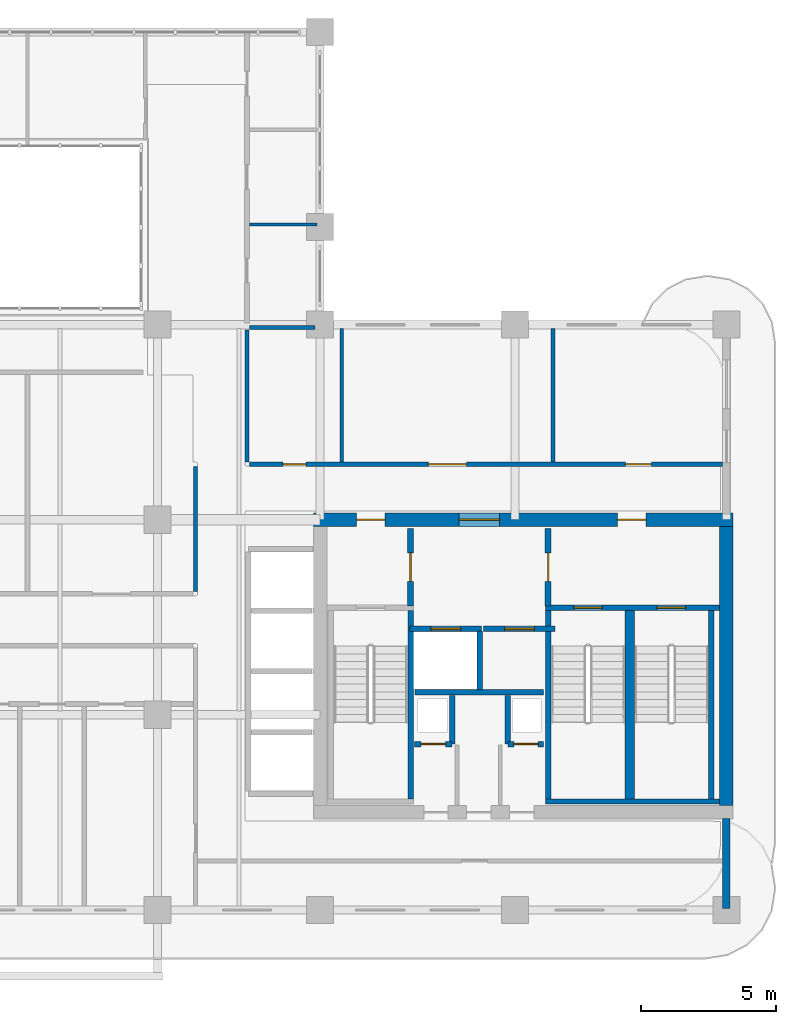
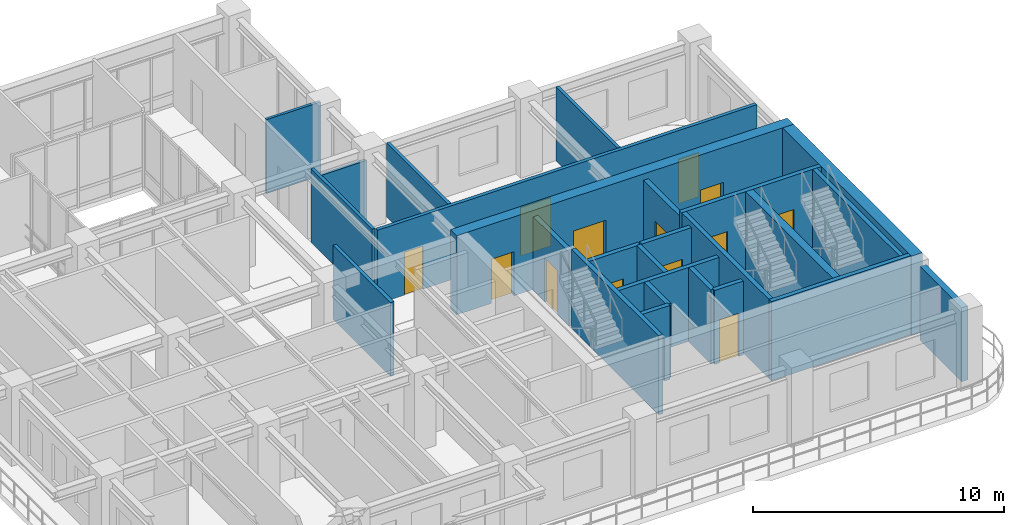
# One storey, part 13 of 20: 26 walls, 14 doors, 14 openings.
"""IFC4 building model written with IfcOpenShell, lengths in metres."""

from ifc_helpers import new_model, si_unit, derived_unit, direction, frame, frame_2d, origin, place, context, subcontext, project, spatial, rectangle, extrude, source, transform, mapped, material, layer, layer_set, type_object, type_shapes, element, fill, save


model = new_model("IFC4")

# Units and contexts
model_context = context("Model", 3, precision=1e-05, world=origin(), true_north=direction((0.0, 1.0)))
body_context = subcontext(model_context, "Body", "Model", "MODEL_VIEW")
ifc_project = project(units=[si_unit("LENGTHUNIT", "METRE"), si_unit("AREAUNIT", "SQUARE_METRE"), si_unit("VOLUMEUNIT", "CUBIC_METRE"), si_unit("PLANEANGLEUNIT", "RADIAN"), si_unit("MASSUNIT", "GRAM", prefix="KILO"), si_unit("THERMODYNAMICTEMPERATUREUNIT", "KELVIN"), si_unit("POWERUNIT", "WATT"), derived_unit("THERMALTRANSMITTANCEUNIT", [(si_unit("POWERUNIT", "WATT"), 1), (si_unit("AREAUNIT", "SQUARE_METRE"), -1), (si_unit("THERMODYNAMICTEMPERATUREUNIT", "KELVIN"), -1)])], contexts=[model_context])

# Site, building, storey
site_placement = place(None, origin())
site = spatial("IfcSite", under=ifc_project, at=site_placement, CompositionType="ELEMENT")
building_placement = place(site_placement, origin())
building = spatial("IfcBuilding", under=site, at=building_placement, Name="Zahravan Archway Hotel and Residences", CompositionType="ELEMENT")
storey_placement = place(building_placement, frame((0.0, 0.0, 173.39990234375)))
storey = spatial("IfcBuildingStorey", under=building, at=storey_placement, Name="L43", CompositionType="ELEMENT", Elevation=173.39990234375)

# Wall, openings, doors
ifc_material_1 = material(Name="Concrete C60/75", Category="concrete")
ifc_layer_1 = layer(ifc_material_1, 0.5, Name="Concrete C60/75", Category="concrete")
ifc_layer_set_1 = layer_set([ifc_layer_1], Name="Concrete C60/75")
wall_type_1 = type_object("IfcWallType", Name="CW-CORE-500", PredefinedType="SHEAR", material=ifc_layer_set_1)
wall_1_placement = place(storey_placement, frame((34.550048828125, 14.39990234375, 0.0), z_axis=(0.0, 0.0, 1.0), x_axis=(1.0, 0.0, 0.0)))
wall_1 = element("IfcWall", 1, at=wall_1_placement, inside=storey, type_object=wall_type_1, Name="L43 Core A Shear N Wall 500 mm", PredefinedType="SHEAR", context=body_context, shape_type="SweptSolid", body=[
    extrude(rectangle(XDim=15.5, YDim=0.5, at=frame_2d((7.75, 0.0))), origin(), (0.0, 0.0, 1.0), 3.85009765625),
])
opening_1_placement = place(wall_1_placement, frame((5.3798828125, 0.0, 0.0)))
opening_1 = element("IfcOpeningElement", 2, at=opening_1_placement, cuts=wall_1, Name="Opening FD-L1", PredefinedType="OPENING", context=body_context, shape_type="SweptSolid", body=[
    extrude(rectangle(XDim=1.5, YDim=2.199951171875, at=frame_2d((0.75, 1.10009765625))), frame((0.0, 0.260009765625, 0.0), z_axis=(0.0, -1.0, 0.0), x_axis=(1.0, 0.0, 0.0)), (0.0, 0.0, 1.0), 0.52001953125),
])
opening_2_placement = place(wall_1_placement, frame((1.594970703125, 0.0, 0.0)))
opening_2 = element("IfcOpeningElement", 3, at=opening_2_placement, cuts=wall_1, Name="Opening FD-L2", PredefinedType="OPENING", context=body_context, shape_type="SweptSolid", body=[
    extrude(rectangle(XDim=1.050048828125, YDim=2.14990234375, at=frame_2d((0.52490234375, 1.074951171875))), frame((0.0, 0.260009765625, 0.0), z_axis=(0.0, -1.0, 0.0), x_axis=(1.0, 0.0, 0.0)), (0.0, 0.0, 1.0), 0.52001953125),
])
opening_3_placement = place(wall_1_placement, frame((11.22509765625, 0.0, 0.0)))
opening_3 = element("IfcOpeningElement", 4, at=opening_3_placement, cuts=wall_1, Name="Opening FD-L2", PredefinedType="OPENING", context=body_context, shape_type="SweptSolid", body=[
    extrude(rectangle(XDim=1.050048828125, YDim=2.14990234375, at=frame_2d((0.52490234375, 1.074951171875))), frame((0.0, 0.260009765625, 0.0), z_axis=(0.0, -1.0, 0.0), x_axis=(1.0, 0.0, 0.0)), (0.0, 0.0, 1.0), 0.52001953125),
])
ifc_material_2 = material(Name="Fire-Rated Painted Steel", Category="steel")
door_type_1 = type_object("IfcDoorType", Name="FD-LOBBY-1100", OperationType="NOTDEFINED", PredefinedType="DOOR", material=ifc_material_2)
shared_shape_1 = source(origin(), body_context, "Body", "SweptSolid", [
    extrude(rectangle(XDim=1.050048828125, YDim=2.14990234375, at=frame_2d((0.52490234375, 1.074951171875))), frame((0.0, 0.02490234375, 0.0), z_axis=(0.0, -1.0, 0.0), x_axis=(1.0, 0.0, 0.0)), (0.0, 0.0, 1.0), 0.050048828125),
])
type_shapes(door_type_1, [shared_shape_1])
door_1_placement = place(opening_2_placement, origin())
door_1 = element("IfcDoor", 5, at=door_1_placement, inside=storey, type_object=door_type_1, Name="L43 Core A West Stair Lobby Door", OperationType="SINGLE_SWING_LEFT", OverallHeight=2.14990234375, OverallWidth=1.050048828125, PredefinedType="DOOR", context=body_context, shape_type="MappedRepresentation", body=[
    mapped(shared_shape_1, transform((0.0, 0.0, 0.0), scale=1.0)),
])
fill(opening_2, door_1)
door_2_placement = place(opening_3_placement, origin())
door_2 = element("IfcDoor", 6, at=door_2_placement, inside=storey, type_object=door_type_1, Name="L43 Core A East Stair Lobby Door", OperationType="SINGLE_SWING_RIGHT", OverallHeight=2.14990234375, OverallWidth=1.050048828125, PredefinedType="DOOR", context=body_context, shape_type="MappedRepresentation", body=[
    mapped(shared_shape_1, transform((0.0, 0.0, 0.0), scale=1.0)),
])
fill(opening_3, door_2)
door_type_2 = type_object("IfcDoorType", Name="FD-LOBBY-1500", OperationType="DOUBLE_DOOR_SINGLE_SWING", PredefinedType="DOOR", material=ifc_material_2)
shared_shape_2 = source(origin(), body_context, "Body", "SweptSolid", [
    extrude(rectangle(XDim=1.5, YDim=2.199951171875, at=frame_2d((0.75, 1.10009765625))), frame((0.0, 0.02490234375, 0.0), z_axis=(0.0, -1.0, 0.0), x_axis=(1.0, 0.0, 0.0)), (0.0, 0.0, 1.0), 0.050048828125),
])
type_shapes(door_type_2, [shared_shape_2])
door_3_placement = place(opening_1_placement, origin())
door_3 = element("IfcDoor", 7, at=door_3_placement, inside=storey, type_object=door_type_2, Name="L43 Core A FSAE Lobby Main Door", OperationType="DOUBLE_DOOR_SINGLE_SWING", OverallHeight=2.199951171875, OverallWidth=1.5, PredefinedType="DOOR", context=body_context, shape_type="MappedRepresentation", body=[
    mapped(shared_shape_2, transform((0.0, 0.0, 0.0), scale=1.0)),
])
fill(opening_1, door_3)

# Walls
wall_2_placement = place(storey_placement, frame((49.800048828125, 3.85009765625, 0.0), z_axis=(0.0, 0.0, 1.0), x_axis=(0.0, 1.0, 0.0)))
element("IfcWall", 8, at=wall_2_placement, inside=storey, type_object=wall_type_1, Name="L43 Core A Shear E Wall 500 mm", PredefinedType="SHEAR", context=body_context, shape_type="SweptSolid", body=[
    extrude(rectangle(XDim=10.2998046875, YDim=0.5, at=frame_2d((5.14990234375, 0.0))), origin(), (0.0, 0.0, 1.0), 3.85009765625),
])
ifc_material_3 = material(Name="Honed Red-Ochre Sandstone & Insulated Block", Category="masonry")
ifc_layer_2 = layer(ifc_material_3, 0.280029296875, Name="Honed Red-Ochre Sandstone & Insulated Block", Category="masonry")
ifc_layer_set_2 = layer_set([ifc_layer_2], Name="Honed Red-Ochre Sandstone & Insulated Block")
wall_type_2 = type_object("IfcWallType", Name="EW-LOG-280", PredefinedType="SOLIDWALL", material=ifc_layer_set_2)
wall_3_placement = place(storey_placement, frame((49.800048828125, 0.050048828125, 0.0), z_axis=(0.0, 0.0, 1.0), x_axis=(0.0, 1.0, 0.0)))
element("IfcWall", 9, at=wall_3_placement, inside=storey, type_object=wall_type_2, Name="L43 Exterior Sandstone Wall WA-ES", PredefinedType="SOLIDWALL", context=body_context, shape_type="SweptSolid", body=[
    extrude(rectangle(XDim=3.329833984375, YDim=0.280029296875, at=frame_2d((1.6650390625, 0.0))), origin(), (0.0, 0.0, 1.0), 3.60009765625),
])

# Wall, opening, door
ifc_material_4 = material(Name="Fire-Rated Gypsum & Concrete Block", Category="concrete")
ifc_layer_3 = layer(ifc_material_4, 0.219970703125, Name="Fire-Rated Gypsum & Concrete Block", Category="concrete")
ifc_layer_set_3 = layer_set([ifc_layer_3], Name="Fire-Rated Gypsum & Concrete Block")
wall_type_3 = type_object("IfcWallType", Name="PW-COMP-220", PredefinedType="PARTITIONING", material=ifc_layer_set_3)
wall_4_placement = place(storey_placement, frame((38.139892578125, 11.219970703125, 0.0), z_axis=(0.0, 0.0, 1.0), x_axis=(0.0, 1.0, 0.0)))
wall_4 = element("IfcWall", 10, at=wall_4_placement, inside=storey, type_object=wall_type_3, Name="L43 Partition CA-LOBW", PredefinedType="PARTITIONING", context=body_context, shape_type="SweptSolid", body=[
    extrude(rectangle(XDim=2.860107421875, YDim=0.219970703125, at=frame_2d((1.43017578125, 0.0))), origin(), (0.0, 0.0, 1.0), 3.60009765625),
])
opening_4_placement = place(wall_4_placement, frame((0.905029296875, 0.0, 0.0)))
opening_4 = element("IfcOpeningElement", 11, at=opening_4_placement, cuts=wall_4, Name="Opening FD-L2", PredefinedType="OPENING", context=body_context, shape_type="SweptSolid", body=[
    extrude(rectangle(XDim=1.050048828125, YDim=2.14990234375, at=frame_2d((0.52490234375, 1.074951171875))), frame((0.0, 0.1201171875, 0.0), z_axis=(0.0, -1.0, 0.0), x_axis=(1.0, 0.0, 0.0)), (0.0, 0.0, 1.0), 0.239990234375),
])
door_4_placement = place(opening_4_placement, origin())
door_4 = element("IfcDoor", 12, at=door_4_placement, inside=storey, type_object=door_type_1, Name="L43 Core A West Stair to FSAE Lobby Door", OperationType="SINGLE_SWING_LEFT", OverallHeight=2.14990234375, OverallWidth=1.050048828125, PredefinedType="DOOR", context=body_context, shape_type="MappedRepresentation", body=[
    mapped(shared_shape_1, transform((0.0, 0.0, 0.0), scale=1.0)),
])
fill(opening_4, door_4)

wall_5_placement = place(storey_placement, frame((43.219970703125, 11.219970703125, 0.0), z_axis=(0.0, 0.0, 1.0), x_axis=(0.0, 1.0, 0.0)))
wall_5 = element("IfcWall", 13, at=wall_5_placement, inside=storey, type_object=wall_type_3, Name="L43 Partition CA-LOBE", PredefinedType="PARTITIONING", context=body_context, shape_type="SweptSolid", body=[
    extrude(rectangle(XDim=2.860107421875, YDim=0.219970703125, at=frame_2d((1.43017578125, 0.0))), origin(), (0.0, 0.0, 1.0), 3.60009765625),
])
opening_5_placement = place(wall_5_placement, frame((0.905029296875, 0.0, 0.0)))
opening_5 = element("IfcOpeningElement", 14, at=opening_5_placement, cuts=wall_5, Name="Opening FD-L2", PredefinedType="OPENING", context=body_context, shape_type="SweptSolid", body=[
    extrude(rectangle(XDim=1.050048828125, YDim=2.14990234375, at=frame_2d((0.52490234375, 1.074951171875))), frame((0.0, 0.1201171875, 0.0), z_axis=(0.0, -1.0, 0.0), x_axis=(1.0, 0.0, 0.0)), (0.0, 0.0, 1.0), 0.239990234375),
])
door_5_placement = place(opening_5_placement, origin())
door_5 = element("IfcDoor", 15, at=door_5_placement, inside=storey, type_object=door_type_1, Name="L43 Core A East Stair to FSAE Lobby Door", OperationType="SINGLE_SWING_RIGHT", OverallHeight=2.14990234375, OverallWidth=1.050048828125, PredefinedType="DOOR", context=body_context, shape_type="MappedRepresentation", body=[
    mapped(shared_shape_1, transform((0.0, 0.0, 0.0), scale=1.0)),
])
fill(opening_5, door_5)

# Wall
ifc_layer_4 = layer(ifc_material_4, 0.159912109375, Name="Fire-Rated Gypsum & Concrete Block", Category="concrete")
ifc_layer_set_4 = layer_set([ifc_layer_4], Name="Fire-Rated Gypsum & Concrete Block")
wall_type_4 = type_object("IfcWallType", Name="PW-CORR-160", PredefinedType="PARTITIONING", material=ifc_layer_set_4)
wall_6_placement = place(storey_placement, frame((30.199951171875, 11.760009765625, 0.0), z_axis=(0.0, 0.0, 1.0), x_axis=(0.0, 1.0, 0.0)))
element("IfcWall", 16, at=wall_6_placement, inside=storey, type_object=wall_type_4, Name="L43 Partition WA-FW", PredefinedType="PARTITIONING", context=body_context, shape_type="SweptSolid", body=[
    extrude(rectangle(XDim=4.60009765625, YDim=0.159912109375, at=frame_2d((2.300048828125, 0.0))), origin(), (0.0, 0.0, 1.0), 3.60009765625),
])

# Wall, openings, doors
wall_7_placement = place(storey_placement, frame((32.18994140625, 16.449951171875, 0.0), z_axis=(0.0, 0.0, 1.0), x_axis=(1.0, 0.0, 0.0)))
wall_7 = element("IfcWall", 17, at=wall_7_placement, inside=storey, type_object=wall_type_4, Name="L43 Partition WA-FN", PredefinedType="PARTITIONING", context=body_context, shape_type="SweptSolid", body=[
    extrude(rectangle(XDim=17.469970703125, YDim=0.159912109375, at=frame_2d((8.73486328125, 0.0))), origin(), (0.0, 0.0, 1.0), 3.60009765625),
])
opening_6_placement = place(wall_7_placement, frame((1.235107421875, 0.0, 0.0)))
opening_6 = element("IfcOpeningElement", 18, at=opening_6_placement, cuts=wall_7, Name="Opening D-B1", PredefinedType="OPENING", context=body_context, shape_type="SweptSolid", body=[
    extrude(rectangle(XDim=0.85009765625, YDim=2.10009765625, at=frame_2d((0.425048828125, 1.050048828125))), frame((0.0, 0.08984375, 0.0), z_axis=(0.0, -1.0, 0.0), x_axis=(1.0, 0.0, 0.0)), (0.0, 0.0, 1.0), 0.179931640625),
])
opening_7_placement = place(wall_7_placement, frame((6.610107421875, 0.0, 0.0)))
opening_7 = element("IfcOpeningElement", 19, at=opening_7_placement, cuts=wall_7, Name="Opening D-P1", PredefinedType="OPENING", context=body_context, shape_type="SweptSolid", body=[
    extrude(rectangle(XDim=1.39990234375, YDim=2.35009765625, at=frame_2d((0.699951171875, 1.175048828125))), frame((0.0, 0.08984375, 0.0), z_axis=(0.0, -1.0, 0.0), x_axis=(1.0, 0.0, 0.0)), (0.0, 0.0, 1.0), 0.179931640625),
])
opening_8_placement = place(wall_7_placement, frame((13.885009765625, 0.0, 0.0)))
opening_8 = element("IfcOpeningElement", 20, at=opening_8_placement, cuts=wall_7, Name="Opening D-I1", PredefinedType="OPENING", context=body_context, shape_type="SweptSolid", body=[
    extrude(rectangle(XDim=0.949951171875, YDim=2.14990234375, at=frame_2d((0.47509765625, 1.074951171875))), frame((0.0, 0.08984375, 0.0), z_axis=(0.0, -1.0, 0.0), x_axis=(1.0, 0.0, 0.0)), (0.0, 0.0, 1.0), 0.179931640625),
])
ifc_material_5 = material(Name="Hardwood Veneer Timber", Category="wood")
door_type_3 = type_object("IfcDoorType", Name="ID-BATH-850", OperationType="NOTDEFINED", PredefinedType="DOOR", material=ifc_material_5)
shared_shape_3 = source(origin(), body_context, "Body", "SweptSolid", [
    extrude(rectangle(XDim=0.85009765625, YDim=2.10009765625, at=frame_2d((0.425048828125, 1.050048828125))), frame((0.0, 0.02490234375, 0.0), z_axis=(0.0, -1.0, 0.0), x_axis=(1.0, 0.0, 0.0)), (0.0, 0.0, 1.0), 0.050048828125),
])
type_shapes(door_type_3, [shared_shape_3])
door_6_placement = place(opening_6_placement, origin())
door_6 = element("IfcDoor", 21, at=door_6_placement, inside=storey, type_object=door_type_3, Name="L43 Accessible WC Door", OperationType="SINGLE_SWING_LEFT", OverallHeight=2.10009765625, OverallWidth=0.85009765625, PredefinedType="DOOR", context=body_context, shape_type="MappedRepresentation", body=[
    mapped(shared_shape_3, transform((0.0, 0.0, 0.0), scale=1.0)),
])
fill(opening_6, door_6)
ifc_material_6 = material(Name="Bronze-Anodized Glazed Aluminium", Category="aluminium")
door_type_4 = type_object("IfcDoorType", Name="ID-PUBLIC-1400", OperationType="DOUBLE_DOOR_SINGLE_SWING", PredefinedType="DOOR", material=ifc_material_6)
shared_shape_4 = source(origin(), body_context, "Body", "SweptSolid", [
    extrude(rectangle(XDim=1.39990234375, YDim=2.35009765625, at=frame_2d((0.699951171875, 1.175048828125))), frame((0.0, 0.02490234375, 0.0), z_axis=(0.0, -1.0, 0.0), x_axis=(1.0, 0.0, 0.0)), (0.0, 0.0, 1.0), 0.050048828125),
])
type_shapes(door_type_4, [shared_shape_4])
door_7_placement = place(opening_7_placement, origin())
door_7 = element("IfcDoor", 22, at=door_7_placement, inside=storey, type_object=door_type_4, Name="L43 Private Dining Door", OperationType="DOUBLE_DOOR_SINGLE_SWING", OverallHeight=2.35009765625, OverallWidth=1.39990234375, PredefinedType="DOOR", context=body_context, shape_type="MappedRepresentation", body=[
    mapped(shared_shape_4, transform((0.0, 0.0, 0.0), scale=1.0)),
])
fill(opening_7, door_7)
door_type_5 = type_object("IfcDoorType", Name="ID-INT-950", OperationType="NOTDEFINED", PredefinedType="DOOR", material=ifc_material_5)
shared_shape_5 = source(origin(), body_context, "Body", "SweptSolid", [
    extrude(rectangle(XDim=0.949951171875, YDim=2.14990234375, at=frame_2d((0.47509765625, 1.074951171875))), frame((0.0, 0.02490234375, 0.0), z_axis=(0.0, -1.0, 0.0), x_axis=(1.0, 0.0, 0.0)), (0.0, 0.0, 1.0), 0.050048828125),
])
type_shapes(door_type_5, [shared_shape_5])
door_8_placement = place(opening_8_placement, origin())
door_8 = element("IfcDoor", 23, at=door_8_placement, inside=storey, type_object=door_type_5, Name="L43 Quiet Musalla Door", OperationType="SINGLE_SWING_RIGHT", OverallHeight=2.14990234375, OverallWidth=0.949951171875, PredefinedType="DOOR", context=body_context, shape_type="MappedRepresentation", body=[
    mapped(shared_shape_5, transform((0.0, 0.0, 0.0), scale=1.0)),
])
fill(opening_8, door_8)

# Walls
ifc_material_7 = material(Name="Acoustic Stud Partition")
ifc_layer_5 = layer(ifc_material_7, 0.125, Name="Acoustic Stud Partition")
ifc_layer_set_5 = layer_set([ifc_layer_5], Name="Acoustic Stud Partition")
wall_type_5 = type_object("IfcWallType", Name="PW-INT-125", PredefinedType="PARTITIONING", material=ifc_layer_set_5)
wall_8_placement = place(storey_placement, frame((32.18994140625, 25.300048828125, 0.0), z_axis=(0.0, 0.0, 1.0), x_axis=(1.0, 0.0, 0.0)))
element("IfcWall", 24, at=wall_8_placement, inside=storey, type_object=wall_type_5, Name="L43 Partition ATR-EM3A", PredefinedType="PARTITIONING", context=body_context, shape_type="SweptSolid", body=[
    extrude(rectangle(XDim=2.5, YDim=0.125, at=frame_2d((1.25, 0.0))), origin(), (0.0, 0.0, 1.0), 3.60009765625),
])
ifc_layer_6 = layer(ifc_material_4, 0.199951171875, Name="Fire-Rated Gypsum & Concrete Block", Category="concrete")
ifc_layer_set_6 = layer_set([ifc_layer_6], Name="Fire-Rated Gypsum & Concrete Block")
wall_type_6 = type_object("IfcWallType", Name="PW-SHAFT-200", PredefinedType="PARTITIONING", material=ifc_layer_set_6)
wall_9_placement = place(storey_placement, frame((38.300048828125, 8.030029296875, 0.0), z_axis=(0.0, 0.0, 1.0), x_axis=(1.0, 0.0, 0.0)))
element("IfcWall", 25, at=wall_9_placement, inside=storey, type_object=wall_type_6, Name="L43 Partition CA-FLS", PredefinedType="PARTITIONING", context=body_context, shape_type="SweptSolid", body=[
    extrude(rectangle(XDim=4.739990234375, YDim=0.199951171875, at=frame_2d((2.3701171875, 0.0))), origin(), (0.0, 0.0, 1.0), 3.60009765625),
])
wall_10_placement = place(storey_placement, frame((40.699951171875, 8.1201171875, 0.0), z_axis=(0.0, 0.0, 1.0), x_axis=(0.0, 1.0, 0.0)))
element("IfcWall", 26, at=wall_10_placement, inside=storey, type_object=wall_type_6, Name="L43 Partition CA-FLM", PredefinedType="PARTITIONING", context=body_context, shape_type="SweptSolid", body=[
    extrude(rectangle(XDim=2.179931640625, YDim=0.199951171875, at=frame_2d((1.08984375, 0.0))), origin(), (0.0, 0.0, 1.0), 3.60009765625),
])

# Wall, opening, door
wall_11_placement = place(storey_placement, frame((38.2900390625, 6.1201171875, 0.0), z_axis=(0.0, 0.0, 1.0), x_axis=(1.0, 0.0, 0.0)))
wall_11 = element("IfcWall", 27, at=wall_11_placement, inside=storey, type_object=wall_type_6, Name="L43 Partition CA-SMKS", PredefinedType="PARTITIONING", context=body_context, shape_type="SweptSolid", body=[
    extrude(rectangle(XDim=1.3798828125, YDim=0.199951171875, at=frame_2d((0.68994140625, 0.0))), origin(), (0.0, 0.0, 1.0), 3.60009765625),
])
opening_9_placement = place(wall_11_placement, frame((0.239990234375, 0.0, 0.0)))
opening_9 = element("IfcOpeningElement", 28, at=opening_9_placement, cuts=wall_11, Name="Opening FD-R1", PredefinedType="OPENING", context=body_context, shape_type="SweptSolid", body=[
    extrude(rectangle(XDim=0.89990234375, YDim=2.10009765625, at=frame_2d((0.449951171875, 1.050048828125))), frame((0.0, 0.10986328125, 0.0), z_axis=(0.0, -1.0, 0.0), x_axis=(1.0, 0.0, 0.0)), (0.0, 0.0, 1.0), 0.219970703125),
])
door_type_6 = type_object("IfcDoorType", Name="FD-RISER-900", OperationType="NOTDEFINED", PredefinedType="DOOR", material=ifc_material_2)
shared_shape_6 = source(origin(), body_context, "Body", "SweptSolid", [
    extrude(rectangle(XDim=0.89990234375, YDim=2.10009765625, at=frame_2d((0.449951171875, 1.050048828125))), frame((0.0, 0.02490234375, 0.0), z_axis=(0.0, -1.0, 0.0), x_axis=(1.0, 0.0, 0.0)), (0.0, 0.0, 1.0), 0.050048828125),
])
type_shapes(door_type_6, [shared_shape_6])
door_9_placement = place(opening_9_placement, origin())
door_9 = element("IfcDoor", 29, at=door_9_placement, inside=storey, type_object=door_type_6, Name="L43 Smoke Riser Access Door", OperationType="SINGLE_SWING_LEFT", OverallHeight=2.10009765625, OverallWidth=0.89990234375, PredefinedType="DOOR", context=body_context, shape_type="MappedRepresentation", body=[
    mapped(shared_shape_6, transform((0.0, 0.0, 0.0), scale=1.0)),
])
fill(opening_9, door_9)

# Wall
wall_12_placement = place(storey_placement, frame((39.679931640625, 6.1298828125, 0.0), z_axis=(0.0, 0.0, 1.0), x_axis=(0.0, 1.0, 0.0)))
element("IfcWall", 30, at=wall_12_placement, inside=storey, type_object=wall_type_6, Name="L43 Partition CA-SMKE", PredefinedType="PARTITIONING", context=body_context, shape_type="SweptSolid", body=[
    extrude(rectangle(XDim=1.7900390625, YDim=0.199951171875, at=frame_2d((0.89501953125, 0.0))), origin(), (0.0, 0.0, 1.0), 3.60009765625),
])

# Wall, opening, door
wall_13_placement = place(storey_placement, frame((41.72998046875, 6.1201171875, 0.0), z_axis=(0.0, 0.0, 1.0), x_axis=(1.0, 0.0, 0.0)))
wall_13 = element("IfcWall", 31, at=wall_13_placement, inside=storey, type_object=wall_type_6, Name="L43 Partition CA-MEPS", PredefinedType="PARTITIONING", context=body_context, shape_type="SweptSolid", body=[
    extrude(rectangle(XDim=1.320068359375, YDim=0.199951171875, at=frame_2d((0.66015625, 0.0))), origin(), (0.0, 0.0, 1.0), 3.60009765625),
])
opening_10_placement = place(wall_13_placement, frame((0.219970703125, 0.0, 0.0)))
opening_10 = element("IfcOpeningElement", 32, at=opening_10_placement, cuts=wall_13, Name="Opening FD-R1", PredefinedType="OPENING", context=body_context, shape_type="SweptSolid", body=[
    extrude(rectangle(XDim=0.89990234375, YDim=2.10009765625, at=frame_2d((0.449951171875, 1.050048828125))), frame((0.0, 0.10986328125, 0.0), z_axis=(0.0, -1.0, 0.0), x_axis=(1.0, 0.0, 0.0)), (0.0, 0.0, 1.0), 0.219970703125),
])
door_10_placement = place(opening_10_placement, origin())
door_10 = element("IfcDoor", 33, at=door_10_placement, inside=storey, type_object=door_type_6, Name="L43 MEP Riser Access Door", OperationType="SINGLE_SWING_RIGHT", OverallHeight=2.10009765625, OverallWidth=0.89990234375, PredefinedType="DOOR", context=body_context, shape_type="MappedRepresentation", body=[
    mapped(shared_shape_6, transform((0.0, 0.0, 0.0), scale=1.0)),
])
fill(opening_10, door_10)

# Wall
wall_14_placement = place(storey_placement, frame((41.719970703125, 6.1298828125, 0.0), z_axis=(0.0, 0.0, 1.0), x_axis=(0.0, 1.0, 0.0)))
element("IfcWall", 34, at=wall_14_placement, inside=storey, type_object=wall_type_6, Name="L43 Partition CA-MEPW", PredefinedType="PARTITIONING", context=body_context, shape_type="SweptSolid", body=[
    extrude(rectangle(XDim=1.7900390625, YDim=0.199951171875, at=frame_2d((0.89501953125, 0.0))), origin(), (0.0, 0.0, 1.0), 3.60009765625),
])

# Wall, opening, door
wall_15_placement = place(storey_placement, frame((38.1201171875, 10.3701171875, 0.0), z_axis=(0.0, 0.0, 1.0), x_axis=(1.0, 0.0, 0.0)))
wall_15 = element("IfcWall", 35, at=wall_15_placement, inside=storey, type_object=wall_type_6, Name="L43 Lift FL-1 Front Wall", PredefinedType="PARTITIONING", context=body_context, shape_type="SweptSolid", body=[
    extrude(rectangle(XDim=2.639892578125, YDim=0.199951171875, at=frame_2d((1.31982421875, 0.0))), origin(), (0.0, 0.0, 1.0), 3.60009765625),
])
opening_11_placement = place(wall_15_placement, frame((0.77001953125, 0.0, 0.0)))
opening_11 = element("IfcOpeningElement", 36, at=opening_11_placement, cuts=wall_15, Name="Opening LD", PredefinedType="OPENING", context=body_context, shape_type="SweptSolid", body=[
    extrude(rectangle(XDim=1.10009765625, YDim=2.199951171875, at=frame_2d((0.550048828125, 1.10009765625))), frame((0.0, 0.10986328125, 0.0), z_axis=(0.0, -1.0, 0.0), x_axis=(1.0, 0.0, 0.0)), (0.0, 0.0, 1.0), 0.219970703125),
])
ifc_material_8 = material(Name="Brushed Stainless Steel", Category="steel")
door_type_7 = type_object("IfcDoorType", Name="DR-LIFT-LD", OperationType="SLIDING_TO_LEFT", PredefinedType="DOOR", material=ifc_material_8)
shared_shape_7 = source(origin(), body_context, "Body", "SweptSolid", [
    extrude(rectangle(XDim=1.10009765625, YDim=2.199951171875, at=frame_2d((0.550048828125, 1.10009765625))), frame((0.0, 0.02490234375, 0.0), z_axis=(0.0, -1.0, 0.0), x_axis=(1.0, 0.0, 0.0)), (0.0, 0.0, 1.0), 0.050048828125),
])
type_shapes(door_type_7, [shared_shape_7])
door_11_placement = place(opening_11_placement, origin())
door_11 = element("IfcDoor", 37, at=door_11_placement, inside=storey, type_object=door_type_7, Name="L43 Lift FL-1 Sliding Landing Door", OperationType="SLIDING_TO_LEFT", OverallHeight=2.199951171875, OverallWidth=1.10009765625, PredefinedType="DOOR", context=body_context, shape_type="MappedRepresentation", body=[
    mapped(shared_shape_7, transform((0.0, 0.0, 0.0), scale=1.0)),
])
fill(opening_11, door_11)

wall_16_placement = place(storey_placement, frame((40.840087890625, 10.3701171875, 0.0), z_axis=(0.0, 0.0, 1.0), x_axis=(1.0, 0.0, 0.0)))
wall_16 = element("IfcWall", 38, at=wall_16_placement, inside=storey, type_object=wall_type_6, Name="L43 Lift FL-2 Front Wall", PredefinedType="PARTITIONING", context=body_context, shape_type="SweptSolid", body=[
    extrude(rectangle(XDim=2.639892578125, YDim=0.199951171875, at=frame_2d((1.31982421875, 0.0))), origin(), (0.0, 0.0, 1.0), 3.60009765625),
])
opening_12_placement = place(wall_16_placement, frame((0.77001953125, 0.0, 0.0)))
opening_12 = element("IfcOpeningElement", 39, at=opening_12_placement, cuts=wall_16, Name="Opening LD", PredefinedType="OPENING", context=body_context, shape_type="SweptSolid", body=[
    extrude(rectangle(XDim=1.10009765625, YDim=2.199951171875, at=frame_2d((0.550048828125, 1.10009765625))), frame((0.0, 0.10986328125, 0.0), z_axis=(0.0, -1.0, 0.0), x_axis=(1.0, 0.0, 0.0)), (0.0, 0.0, 1.0), 0.219970703125),
])
door_12_placement = place(opening_12_placement, origin())
door_12 = element("IfcDoor", 40, at=door_12_placement, inside=storey, type_object=door_type_7, Name="L43 Lift FL-2 Sliding Landing Door", OperationType="SLIDING_TO_LEFT", OverallHeight=2.199951171875, OverallWidth=1.10009765625, PredefinedType="DOOR", context=body_context, shape_type="MappedRepresentation", body=[
    mapped(shared_shape_7, transform((0.0, 0.0, 0.0), scale=1.0)),
])
fill(opening_12, door_12)

# Walls
ifc_material_9 = material(Name="Moisture-Resistant Blockwork", Category="masonry")
ifc_layer_7 = layer(ifc_material_9, 0.139892578125, Name="Moisture-Resistant Blockwork", Category="masonry")
ifc_layer_set_7 = layer_set([ifc_layer_7], Name="Moisture-Resistant Blockwork")
wall_type_7 = type_object("IfcWallType", Name="PW-WET-140", PredefinedType="PARTITIONING", material=ifc_layer_set_7)
wall_17_placement = place(storey_placement, frame((32.10009765625, 16.5400390625, 0.0), z_axis=(0.0, 0.0, 1.0), x_axis=(0.0, 1.0, 0.0)))
element("IfcWall", 41, at=wall_17_placement, inside=storey, type_object=wall_type_7, Name="L43 Partition NE-W0", PredefinedType="PARTITIONING", context=body_context, shape_type="SweptSolid", body=[
    extrude(rectangle(XDim=4.869873046875, YDim=0.139892578125, at=frame_2d((2.43505859375, 0.0))), origin(), (0.0, 0.0, 1.0), 3.60009765625),
])
for number, where, z_axis, x_axis, name in (
    (42, (35.60009765625, 16.5400390625, 0.0), (0.0, 0.0, 1.0), (0.0, 1.0, 0.0), "L43 Partition NE3-1"),
    (43, (43.39990234375, 16.5400390625, 0.0), (0.0, 0.0, 1.0), (0.0, 1.0, 0.0), "L43 Partition NE3-2"),
):
    element("IfcWall", number, at=place(storey_placement, frame(where, z_axis=z_axis, x_axis=x_axis)), inside=storey, type_object=wall_type_7, Name=name, PredefinedType="PARTITIONING", context=body_context, shape_type="SweptSolid", body=[
        extrude(rectangle(XDim=4.911865234375, YDim=0.139892578125, at=frame_2d((2.4560546875, 0.0))), origin(), (0.0, 0.0, 1.0), 3.60009765625),
    ])
wall_18_placement = place(storey_placement, frame((32.18994140625, 21.5, 0.0), z_axis=(0.0, 0.0, 1.0), x_axis=(1.0, 0.0, 0.0)))
element("IfcWall", 44, at=wall_18_placement, inside=storey, type_object=wall_type_7, Name="L43 Partition ATR-ES", PredefinedType="PARTITIONING", context=body_context, shape_type="SweptSolid", body=[
    extrude(rectangle(XDim=2.420166015625, YDim=0.139892578125, at=frame_2d((1.2099609375, 0.0))), origin(), (0.0, 0.0, 1.0), 3.085205078125),
])
ifc_material_10 = material(Name="Concrete C50/60", Category="concrete")
ifc_layer_8 = layer(ifc_material_10, 0.199951171875, Name="Concrete C50/60", Category="concrete")
ifc_layer_set_8 = layer_set([ifc_layer_8], Name="Concrete C50/60")
wall_type_8 = type_object("IfcWallType", Name="SW-STAIR-200", PredefinedType="SHEAR", material=ifc_layer_set_8)
wall_19_placement = place(storey_placement, frame((38.139892578125, 4.10009765625, 0.0), z_axis=(0.0, 0.0, 1.0), x_axis=(0.0, 1.0, 0.0)))
element("IfcWall", 45, at=wall_19_placement, inside=storey, type_object=wall_type_8, Name="L43 Stairwell RC Wall CA-SA1E", PredefinedType="SHEAR", context=body_context, shape_type="SweptSolid", body=[
    extrude(rectangle(XDim=6.949951171875, YDim=0.199951171875, at=frame_2d((3.47509765625, 0.0))), origin(), (0.0, 0.0, 1.0), 3.85009765625),
])
wall_20_placement = place(storey_placement, frame((43.1201171875, 4.0, 0.0), z_axis=(0.0, 0.0, 1.0), x_axis=(1.0, 0.0, 0.0)))
element("IfcWall", 46, at=wall_20_placement, inside=storey, type_object=wall_type_8, Name="L43 Stairwell RC Wall CA-SA23S", PredefinedType="SHEAR", context=body_context, shape_type="SweptSolid", body=[
    extrude(rectangle(XDim=6.429931640625, YDim=0.199951171875, at=frame_2d((3.21484375, 0.0))), origin(), (0.0, 0.0, 1.0), 3.85009765625),
])
for number, where, z_axis, x_axis, name in (
    (47, (43.219970703125, 4.10009765625, 0.0), (0.0, 0.0, 1.0), (0.0, 1.0, 0.0), "L43 Stairwell RC Wall CA-SA2W"),
    (48, (49.239990234375, 4.10009765625, 0.0), (0.0, 0.0, 1.0), (0.0, 1.0, 0.0), "L43 Stairwell RC Wall CA-SA3E"),
):
    element("IfcWall", number, at=place(storey_placement, frame(where, z_axis=z_axis, x_axis=x_axis)), inside=storey, type_object=wall_type_8, Name=name, PredefinedType="SHEAR", context=body_context, shape_type="SweptSolid", body=[
        extrude(rectangle(XDim=6.949951171875, YDim=0.199951171875, at=frame_2d((3.47509765625, 0.0))), origin(), (0.0, 0.0, 1.0), 3.85009765625),
    ])

# Wall, openings, doors
wall_21_placement = place(storey_placement, frame((43.1201171875, 11.14990234375, 0.0), z_axis=(0.0, 0.0, 1.0), x_axis=(1.0, 0.0, 0.0)))
wall_21 = element("IfcWall", 49, at=wall_21_placement, inside=storey, type_object=wall_type_8, Name="L43 Stairwell RC Wall CA-SA23N", PredefinedType="SHEAR", context=body_context, shape_type="SweptSolid", body=[
    extrude(rectangle(XDim=6.429931640625, YDim=0.199951171875, at=frame_2d((3.21484375, 0.0))), origin(), (0.0, 0.0, 1.0), 3.85009765625),
])
opening_13_placement = place(wall_21_placement, frame((1.044921875, 0.0, 0.0)))
opening_13 = element("IfcOpeningElement", 50, at=opening_13_placement, cuts=wall_21, Name="Opening FD-S1", PredefinedType="OPENING", context=body_context, shape_type="SweptSolid", body=[
    extrude(rectangle(XDim=1.050048828125, YDim=2.199951171875, at=frame_2d((0.52490234375, 1.10009765625))), frame((0.0, 0.10986328125, 0.0), z_axis=(0.0, -1.0, 0.0), x_axis=(1.0, 0.0, 0.0)), (0.0, 0.0, 1.0), 0.219970703125),
])
opening_14_placement = place(wall_21_placement, frame((4.125, 0.0, 0.0)))
opening_14 = element("IfcOpeningElement", 51, at=opening_14_placement, cuts=wall_21, Name="Opening FD-S1", PredefinedType="OPENING", context=body_context, shape_type="SweptSolid", body=[
    extrude(rectangle(XDim=1.050048828125, YDim=2.199951171875, at=frame_2d((0.52490234375, 1.10009765625))), frame((0.0, 0.10986328125, 0.0), z_axis=(0.0, -1.0, 0.0), x_axis=(1.0, 0.0, 0.0)), (0.0, 0.0, 1.0), 0.219970703125),
])
door_type_8 = type_object("IfcDoorType", Name="FD-STAIR-1100", OperationType="NOTDEFINED", PredefinedType="DOOR", material=ifc_material_2)
shared_shape_8 = source(origin(), body_context, "Body", "SweptSolid", [
    extrude(rectangle(XDim=1.050048828125, YDim=2.199951171875, at=frame_2d((0.52490234375, 1.10009765625))), frame((0.0, 0.02490234375, 0.0), z_axis=(0.0, -1.0, 0.0), x_axis=(1.0, 0.0, 0.0)), (0.0, 0.0, 1.0), 0.050048828125),
])
type_shapes(door_type_8, [shared_shape_8])
door_13_placement = place(opening_13_placement, origin())
door_13 = element("IfcDoor", 52, at=door_13_placement, inside=storey, type_object=door_type_8, Name="L43 Stair ST-A2 Door", OperationType="SINGLE_SWING_LEFT", OverallHeight=2.199951171875, OverallWidth=1.050048828125, PredefinedType="DOOR", context=body_context, shape_type="MappedRepresentation", body=[
    mapped(shared_shape_8, transform((0.0, 0.0, 0.0), scale=1.0)),
])
fill(opening_13, door_13)
door_14_placement = place(opening_14_placement, origin())
door_14 = element("IfcDoor", 53, at=door_14_placement, inside=storey, type_object=door_type_8, Name="L43 Stair ST-A3 Door", OperationType="SINGLE_SWING_RIGHT", OverallHeight=2.199951171875, OverallWidth=1.050048828125, PredefinedType="DOOR", context=body_context, shape_type="MappedRepresentation", body=[
    mapped(shared_shape_8, transform((0.0, 0.0, 0.0), scale=1.0)),
])
fill(opening_14, door_14)

# Wall
ifc_layer_9 = layer(ifc_material_10, 0.340087890625, Name="Concrete C50/60", Category="concrete")
ifc_layer_set_9 = layer_set([ifc_layer_9], Name="Concrete C50/60")
wall_type_9 = type_object("IfcWallType", Name="SW-STAIR-340", PredefinedType="SHEAR", material=ifc_layer_set_9)
wall_22_placement = place(storey_placement, frame((46.22998046875, 4.10009765625, 0.0), z_axis=(0.0, 0.0, 1.0), x_axis=(0.0, 1.0, 0.0)))
element("IfcWall", 54, at=wall_22_placement, inside=storey, type_object=wall_type_9, Name="L43 Stairwell RC Wall CA-SA23M", PredefinedType="SHEAR", context=body_context, shape_type="SweptSolid", body=[
    extrude(rectangle(XDim=6.949951171875, YDim=0.340087890625, at=frame_2d((3.47509765625, 0.0))), origin(), (0.0, 0.0, 1.0), 3.85009765625),
])

save(model, "model.ifc")
